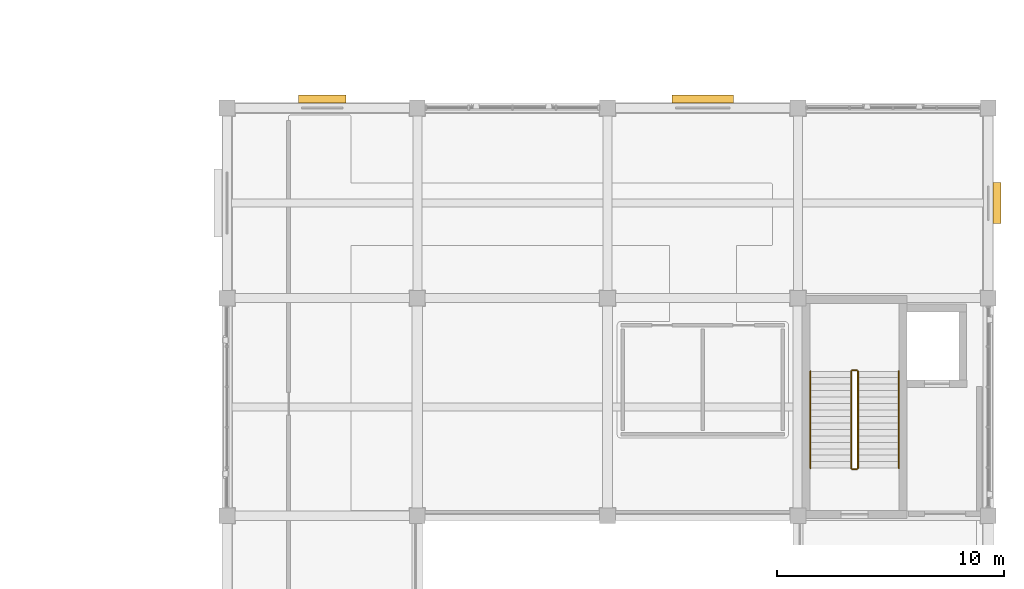
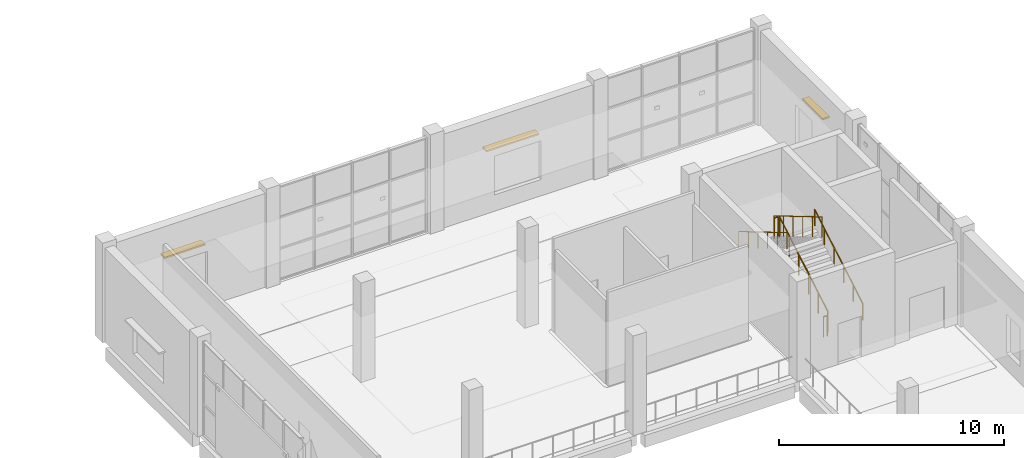
# One storey, part 72 of 72: 6 railings, 3 shading devices.
"""IFC4 building model written with IfcOpenShell, lengths in metres."""

from ifc_helpers import new_model, si_unit, direction, frame, origin, origin_2d, place, context, subcontext, project, spatial, rectangle, circle, extrude, material, type_object, element, save


model = new_model("IFC4")

# Units and contexts
model_context = context("Model", 3, precision=1e-05, world=origin(), true_north=direction((0.0, 1.0)))
body_context = subcontext(model_context, "Body", "Model", "MODEL_VIEW")
ifc_project = project(units=[si_unit("LENGTHUNIT", "METRE"), si_unit("AREAUNIT", "SQUARE_METRE"), si_unit("VOLUMEUNIT", "CUBIC_METRE"), si_unit("PLANEANGLEUNIT", "RADIAN"), si_unit("MASSUNIT", "GRAM", prefix="KILO")], contexts=[model_context])

# Site, building, storey
site_placement = place(None, origin())
site = spatial("IfcSite", under=ifc_project, at=site_placement, CompositionType="ELEMENT")
building_placement = place(site_placement, origin())
building = spatial("IfcBuilding", under=site, at=building_placement, Name="Shalvenor Court Art Gallery", CompositionType="ELEMENT")
storey_placement = place(building_placement, frame((0.0, 0.0, 11.39990234375)))
storey = spatial("IfcBuildingStorey", under=building, at=storey_placement, Name="L02", CompositionType="ELEMENT", Elevation=11.39990234375)

# Railings
ifc_material_1 = material(Name="Painted steel post-and-rail guard", Category="steel")
railing_type_1 = type_object("IfcRailingType", Name="GR-02", PredefinedType="GUARDRAIL", material=ifc_material_1)
railing_1_placement = place(storey_placement, frame((170.64990234375, 81.300048828125, 0.1689453125)))
element("IfcRailing", 1, at=railing_1_placement, inside=storey, type_object=railing_type_1, Name="L02 ST-01 Stair Guard 1", PredefinedType="GUARDRAIL", context=body_context, shape_type="SweptSolid", body=[
    extrude(circle(Radius=0.02392578125, at=origin_2d()), frame((0.0, 0.0, 1.09619140625), z_axis=(0.0, 0.860470286479, 0.509500624227), x_axis=(-1.0, 0.0, 0.0)), (0.0, 0.0, 1.0), 4.968017578125),
    extrude(circle(Radius=0.02099609375, at=origin_2d()), origin(), (0.0, 0.0, 1.0), 1.072021484375),
    extrude(circle(Radius=0.02099609375, at=origin_2d()), frame((0.0, 0.85498046875, 0.50634765625)), (0.0, 0.0, 1.0), 1.072021484375),
    extrude(circle(Radius=0.02099609375, at=origin_2d()), frame((0.0, 1.7099609375, 1.012451171875)), (0.0, 0.0, 1.0), 1.072021484375),
    extrude(circle(Radius=0.02099609375, at=origin_2d()), frame((0.0, 2.56494140625, 1.518798828125)), (0.0, 0.0, 1.0), 1.072021484375),
    extrude(circle(Radius=0.02099609375, at=origin_2d()), frame((0.0, 3.419921875, 2.02490234375)), (0.0, 0.0, 1.0), 1.072021484375),
    extrude(circle(Radius=0.02099609375, at=origin_2d()), frame((0.0, 4.27490234375, 2.53125)), (0.0, 0.0, 1.0), 1.072021484375),
])
railing_2_placement = place(storey_placement, frame((170.60009765625, 85.625, 2.7001953125)))
element("IfcRailing", 2, at=railing_2_placement, inside=storey, type_object=railing_type_1, Name="L02 ST-01 Stair Guard 2", PredefinedType="GUARDRAIL", context=body_context, shape_type="SweptSolid", body=[
    extrude(circle(Radius=0.02392578125, at=origin_2d()), frame((0.0, 0.0, 1.09619140625), z_axis=(-1.0, 0.0, 0.0), x_axis=(0.0, -1.0, 0.0)), (0.0, 0.0, 1.0), 0.2001953125),
    extrude(circle(Radius=0.02099609375, at=origin_2d()), origin(), (0.0, 0.0, 1.0), 1.072021484375),
    extrude(circle(Radius=0.02099609375, at=origin_2d()), frame((-0.2001953125, 0.0, 0.0)), (0.0, 0.0, 1.0), 1.072021484375),
])
railing_3_placement = place(storey_placement, frame((170.35009765625, 85.574951171875, 2.868896484375)))
element("IfcRailing", 3, at=railing_3_placement, inside=storey, type_object=railing_type_1, Name="L02 ST-01 Stair Guard 3", PredefinedType="GUARDRAIL", context=body_context, shape_type="SweptSolid", body=[
    extrude(circle(Radius=0.02392578125, at=origin_2d()), frame((0.0, 0.0, 1.09619140625), z_axis=(0.0, -0.860470286479, 0.509500624227), x_axis=(1.0, 0.0, 0.0)), (0.0, 0.0, 1.0), 4.968017578125),
    extrude(circle(Radius=0.02099609375, at=origin_2d()), origin(), (0.0, 0.0, 1.0), 1.072021484375),
    extrude(circle(Radius=0.02099609375, at=origin_2d()), frame((0.0, -0.85498046875, 0.50634765625)), (0.0, 0.0, 1.0), 1.072021484375),
    extrude(circle(Radius=0.02099609375, at=origin_2d()), frame((0.0, -1.7099609375, 1.012451171875)), (0.0, 0.0, 1.0), 1.072021484375),
    extrude(circle(Radius=0.02099609375, at=origin_2d()), frame((0.0, -2.56494140625, 1.518798828125)), (0.0, 0.0, 1.0), 1.072021484375),
    extrude(circle(Radius=0.02099609375, at=origin_2d()), frame((0.0, -3.419921875, 2.02490234375)), (0.0, 0.0, 1.0), 1.072021484375),
    extrude(circle(Radius=0.02099609375, at=origin_2d()), frame((0.0, -4.27490234375, 2.53125)), (0.0, 0.0, 1.0), 1.072021484375),
])
railing_4_placement = place(storey_placement, frame((170.60009765625, 81.25, 0.0)))
element("IfcRailing", 4, at=railing_4_placement, inside=storey, type_object=railing_type_1, Name="L02 ST-01 Stair Guard 4", PredefinedType="GUARDRAIL", context=body_context, shape_type="SweptSolid", body=[
    extrude(circle(Radius=0.02392578125, at=origin_2d()), frame((0.0, 0.0, 1.09619140625), z_axis=(-1.0, 0.0, 0.0), x_axis=(0.0, -1.0, 0.0)), (0.0, 0.0, 1.0), 0.2001953125),
    extrude(circle(Radius=0.02099609375, at=origin_2d()), origin(), (0.0, 0.0, 1.0), 1.072021484375),
    extrude(circle(Radius=0.02099609375, at=origin_2d()), frame((-0.2001953125, 0.0, 0.0)), (0.0, 0.0, 1.0), 1.072021484375),
])
ifc_material_2 = material(Name="Brushed stainless steel handrail", Category="steel")
railing_type_2 = type_object("IfcRailingType", Name="HR-01", PredefinedType="HANDRAIL", material=ifc_material_2)
railing_5_placement = place(storey_placement, frame((172.449951171875, 81.300048828125, 0.1689453125)))
element("IfcRailing", 5, at=railing_5_placement, inside=storey, type_object=railing_type_2, Name="L02 ST-01 Stair Handrail 1", PredefinedType="HANDRAIL", context=body_context, shape_type="SweptSolid", body=[
    extrude(circle(Radius=0.02392578125, at=origin_2d()), frame((0.0, 0.0, 0.8759765625), z_axis=(0.0, 0.860470286479, 0.509500624227), x_axis=(-1.0, 0.0, 0.0)), (0.0, 0.0, 1.0), 4.968017578125),
    extrude(circle(Radius=0.02099609375, at=origin_2d()), origin(), (0.0, 0.0, 1.0), 0.851806640625),
    extrude(circle(Radius=0.02099609375, at=origin_2d()), frame((0.0, 0.85498046875, 0.50634765625)), (0.0, 0.0, 1.0), 0.851806640625),
    extrude(circle(Radius=0.02099609375, at=origin_2d()), frame((0.0, 1.7099609375, 1.012451171875)), (0.0, 0.0, 1.0), 0.851806640625),
    extrude(circle(Radius=0.02099609375, at=origin_2d()), frame((0.0, 2.56494140625, 1.518798828125)), (0.0, 0.0, 1.0), 0.851806640625),
    extrude(circle(Radius=0.02099609375, at=origin_2d()), frame((0.0, 3.419921875, 2.02490234375)), (0.0, 0.0, 1.0), 0.851806640625),
    extrude(circle(Radius=0.02099609375, at=origin_2d()), frame((0.0, 4.27490234375, 2.53125)), (0.0, 0.0, 1.0), 0.851806640625),
])
railing_6_placement = place(storey_placement, frame((168.550048828125, 85.574951171875, 2.868896484375)))
element("IfcRailing", 6, at=railing_6_placement, inside=storey, type_object=railing_type_2, Name="L02 ST-01 Stair Handrail 2", PredefinedType="HANDRAIL", context=body_context, shape_type="SweptSolid", body=[
    extrude(circle(Radius=0.02392578125, at=origin_2d()), frame((0.0, 0.0, 0.8759765625), z_axis=(0.0, -0.860470286479, 0.509500624227), x_axis=(1.0, 0.0, 0.0)), (0.0, 0.0, 1.0), 4.968017578125),
    extrude(circle(Radius=0.02099609375, at=origin_2d()), origin(), (0.0, 0.0, 1.0), 0.851806640625),
    extrude(circle(Radius=0.02099609375, at=origin_2d()), frame((0.0, -0.85498046875, 0.50634765625)), (0.0, 0.0, 1.0), 0.851806640625),
    extrude(circle(Radius=0.02099609375, at=origin_2d()), frame((0.0, -1.7099609375, 1.012451171875)), (0.0, 0.0, 1.0), 0.851806640625),
    extrude(circle(Radius=0.02099609375, at=origin_2d()), frame((0.0, -2.56494140625, 1.518798828125)), (0.0, 0.0, 1.0), 0.851806640625),
    extrude(circle(Radius=0.02099609375, at=origin_2d()), frame((0.0, -3.419921875, 2.02490234375)), (0.0, 0.0, 1.0), 0.851806640625),
    extrude(circle(Radius=0.02099609375, at=origin_2d()), frame((0.0, -4.27490234375, 2.53125)), (0.0, 0.0, 1.0), 0.851806640625),
])

# Shading devices
ifc_material_3 = material(Name="Dark anodised bronze aluminium louvre", Category="aluminium")
shading_device_type = type_object("IfcShadingDeviceType", Name="SHD-01", PredefinedType="JALOUSIE", material=ifc_material_3)
shading_device_1_placement = place(storey_placement, frame((147.0, 97.590087890625, 3.0), z_axis=(0.0, 0.0, 1.0), x_axis=(1.0, 0.0, 0.0)))
element("IfcShadingDevice", 7, at=shading_device_1_placement, inside=storey, type_object=shading_device_type, Name="L02 Koushi Window Sunshade 5", PredefinedType="JALOUSIE", context=body_context, shape_type="SweptSolid", body=[
    extrude(rectangle(XDim=2.10009765625, YDim=0.360107421875, at=origin_2d()), origin(), (0.0, 0.0, 1.0), 0.080078125),
])
shading_device_2_placement = place(storey_placement, frame((163.800048828125, 97.590087890625, 3.0), z_axis=(0.0, 0.0, 1.0), x_axis=(1.0, 0.0, 0.0)))
element("IfcShadingDevice", 8, at=shading_device_2_placement, inside=storey, type_object=shading_device_type, Name="L02 Koushi Window Sunshade 6", PredefinedType="JALOUSIE", context=body_context, shape_type="SweptSolid", body=[
    extrude(rectangle(XDim=2.699951171875, YDim=0.360107421875, at=origin_2d()), origin(), (0.0, 0.0, 1.0), 0.080078125),
])
shading_device_3_placement = place(storey_placement, frame((176.7900390625, 93.0, 3.0), z_axis=(0.0, 0.0, 1.0), x_axis=(0.0, -1.0, 0.0)))
element("IfcShadingDevice", 9, at=shading_device_3_placement, inside=storey, type_object=shading_device_type, Name="L02 Koushi Window Sunshade 7", PredefinedType="JALOUSIE", context=body_context, shape_type="SweptSolid", body=[
    extrude(rectangle(XDim=1.800048828125, YDim=0.360107421875, at=origin_2d()), origin(), (0.0, 0.0, 1.0), 0.080078125),
])

save(model, "model.ifc")
